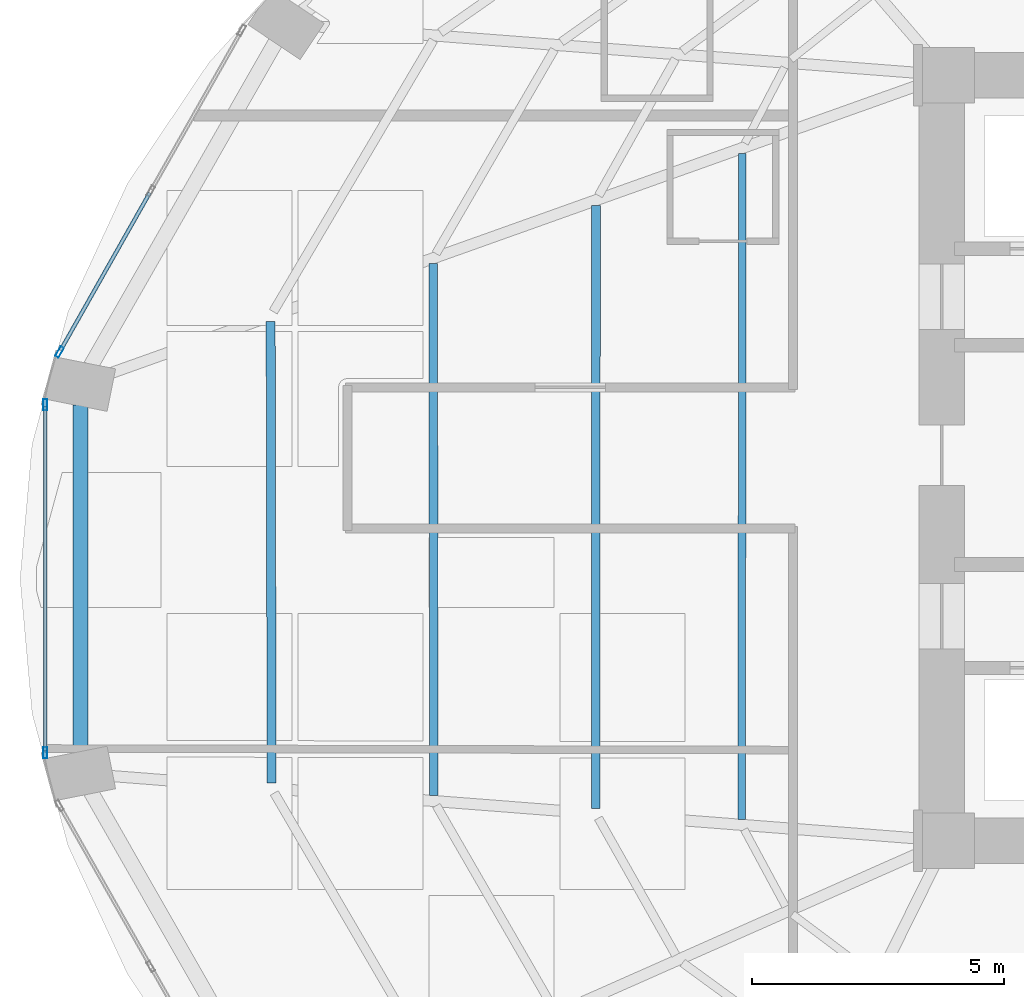
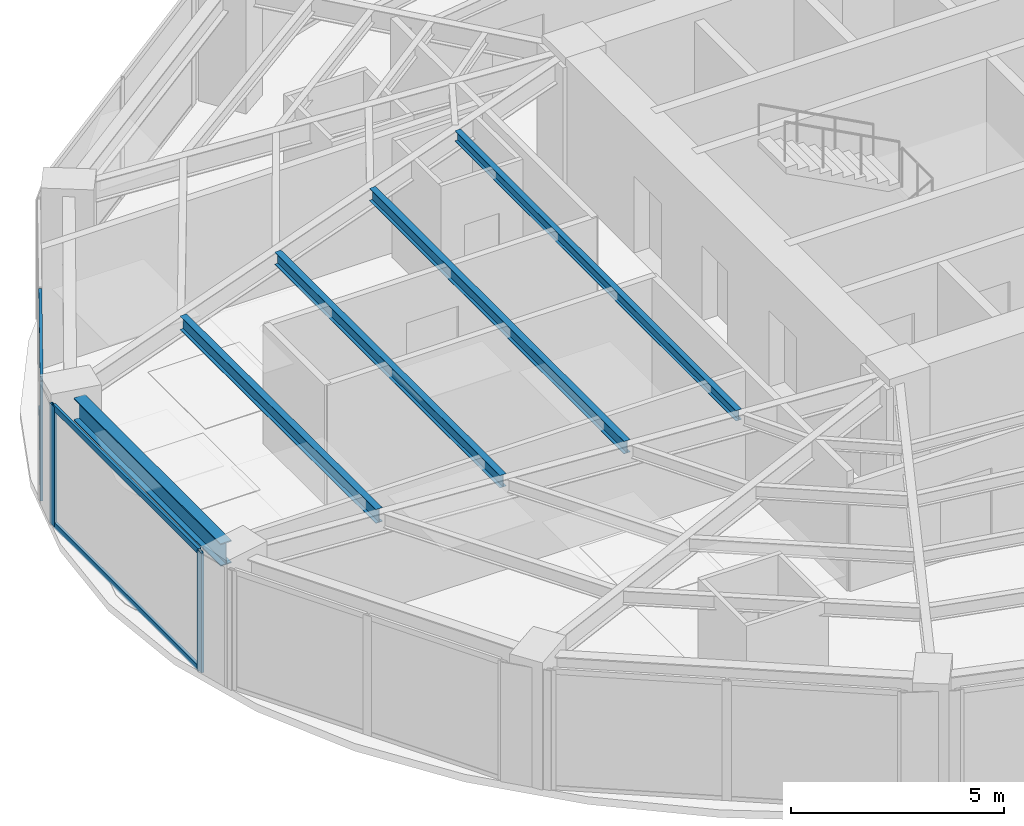
# One storey, part 7 of 25: 7 members, 5 beams, 2 elements without a shape of their own.
"""IFC4 building model written with IfcOpenShell, lengths in metres."""

from ifc_helpers import new_model, si_unit, direction, frame, origin, origin_2d, place, context, subcontext, project, spatial, hollow_rectangle, i_section, extrude, material, layer, layer_set, material_profile, profile_set, type_object, element, aggregate, save


model = new_model("IFC4")

# Units and contexts
model_context = context("Model", 3, precision=1e-05, world=origin(), true_north=direction((0.0, 1.0)))
body_context = subcontext(model_context, "Body", "Model", "MODEL_VIEW")
ifc_project = project(units=[si_unit("LENGTHUNIT", "METRE"), si_unit("AREAUNIT", "SQUARE_METRE"), si_unit("VOLUMEUNIT", "CUBIC_METRE"), si_unit("PLANEANGLEUNIT", "RADIAN"), si_unit("MASSUNIT", "GRAM", prefix="KILO")], contexts=[model_context])

# Site, building, storey
site_placement = place(None, origin())
site = spatial("IfcSite", under=ifc_project, at=site_placement, CompositionType="ELEMENT")
building_placement = place(site_placement, origin())
building = spatial("IfcBuilding", under=site, at=building_placement, Name="Lazwardi Medical Tower", CompositionType="ELEMENT")
storey_placement = place(building_placement, frame((0.0, 0.0, 28.847900390625)))
storey = spatial("IfcBuildingStorey", under=building, at=storey_placement, Name="L06", CompositionType="ELEMENT", Elevation=28.847900390625)

# Beams
ifc_material_1 = material(Name="Steel S355", Category="steel")
ifc_material_profile_1 = material_profile(ifc_material_1, i_section(OverallWidth=0.300048828125, OverallDepth=0.64990234375, WebThickness=0.01611328125, FlangeThickness=0.031005859375, at=origin_2d()), Name="HEB 650")
ifc_profile_set_1 = profile_set([ifc_material_profile_1], Name="Steel S355")
beam_type_1 = type_object("IfcBeamType", Name="BM-RB-Z1", PredefinedType="BEAM", material=ifc_profile_set_1)
beam_1_placement = place(storey_placement, frame((9.199951171875, 29.047607421875, 3.10302734375), z_axis=(0.0, -1.0, 0.0), x_axis=(1.0, 0.0, 0.0)))
element("IfcBeam", 1, at=beam_1_placement, inside=storey, type_object=beam_type_1, Name="Ring beam RB-02 B12 L06", PredefinedType="BEAM", context=body_context, shape_type="SweptSolid", body=[
    extrude(i_section(OverallWidth=0.300048828125, OverallDepth=0.64990234375, WebThickness=0.01611328125, FlangeThickness=0.031005859375, at=origin_2d()), origin(), (0.0, 0.0, 1.0), 6.895263671875),
])
ifc_material_profile_2 = material_profile(ifc_material_1, i_section(OverallWidth=0.179931640625, OverallDepth=0.39990234375, WebThickness=0.008544921875, FlangeThickness=0.013427734375, at=origin_2d()), Name="IPE 400")
ifc_profile_set_2 = profile_set([ifc_material_profile_2], Name="Steel S355")
beam_type_2 = type_object("IfcBeamType", Name="BM-SJ-01", PredefinedType="JOIST", material=ifc_profile_set_2)
beam_2_placement = place(storey_placement, frame((12.9765625, 30.708984375, 3.22802734375), z_axis=(0.002077613181, -0.999997841759, 0.0), x_axis=(0.999997841759, 0.002077613181, 0.0)))
element("IfcBeam", 2, at=beam_2_placement, inside=storey, type_object=beam_type_2, Name="Secondary joist SJ-01 R1 B12 L06", PredefinedType="JOIST", context=body_context, shape_type="SweptSolid", body=[
    extrude(i_section(OverallWidth=0.179931640625, OverallDepth=0.39990234375, WebThickness=0.008544921875, FlangeThickness=0.013427734375, at=origin_2d()), origin(), (0.0, 0.0, 1.0), 9.165771484375),
])
ifc_material_profile_3 = material_profile(ifc_material_1, i_section(OverallWidth=0.169921875, OverallDepth=0.360107421875, WebThickness=0.008056640625, FlangeThickness=0.0126953125, at=origin_2d()), Name="IPE 360")
ifc_profile_set_3 = profile_set([ifc_material_profile_3], Name="Steel S355")
beam_type_3 = type_object("IfcBeamType", Name="BM-SJ-02", PredefinedType="JOIST", material=ifc_profile_set_3)
beam_3_placement = place(storey_placement, frame((16.206298828125, 31.860595703125, 3.248046875), z_axis=(0.000670039821, -0.999999775523, 0.0), x_axis=(0.999999775523, 0.000670039821, 0.0)))
element("IfcBeam", 3, at=beam_3_placement, inside=storey, type_object=beam_type_3, Name="Secondary joist SJ-02 R2 B12 L06", PredefinedType="JOIST", context=body_context, shape_type="SweptSolid", body=[
    extrude(i_section(OverallWidth=0.169921875, OverallDepth=0.360107421875, WebThickness=0.008056640625, FlangeThickness=0.0126953125, at=origin_2d()), origin(), (0.0, 0.0, 1.0), 10.566650390625),
])
beam_4_placement = place(storey_placement, frame((19.43603515625, 33.01220703125, 3.248046875), z_axis=(-0.000387612685, -0.999999924878, 0.0), x_axis=(0.999999924878, -0.000387612685, 0.0)))
element("IfcBeam", 4, at=beam_4_placement, inside=storey, type_object=beam_type_3, Name="Secondary joist SJ-02 R3 B12 L06", PredefinedType="JOIST", context=body_context, shape_type="SweptSolid", body=[
    extrude(i_section(OverallWidth=0.169921875, OverallDepth=0.360107421875, WebThickness=0.008056640625, FlangeThickness=0.0126953125, at=origin_2d()), origin(), (0.0, 0.0, 1.0), 11.96728515625),
])
ifc_material_profile_4 = material_profile(ifc_material_1, i_section(OverallWidth=0.14990234375, OverallDepth=0.300048828125, WebThickness=0.007080078125, FlangeThickness=0.0107421875, at=origin_2d()), Name="IPE 300")
ifc_profile_set_4 = profile_set([ifc_material_profile_4], Name="Steel S355")
beam_type_4 = type_object("IfcBeamType", Name="BM-SJ-03", PredefinedType="JOIST", material=ifc_profile_set_4)
beam_5_placement = place(storey_placement, frame((22.343017578125, 34.048583984375, 3.278076171875), z_axis=(-0.001181203266, -0.999999302379, 0.0), x_axis=(0.999999302379, -0.001181203266, 0.0)))
element("IfcBeam", 5, at=beam_5_placement, inside=storey, type_object=beam_type_4, Name="Secondary joist SJ-03 R4 B12 L06", PredefinedType="JOIST", context=body_context, shape_type="SweptSolid", body=[
    extrude(i_section(OverallWidth=0.14990234375, OverallDepth=0.300048828125, WebThickness=0.007080078125, FlangeThickness=0.0107421875, at=origin_2d()), origin(), (0.0, 0.0, 1.0), 13.22802734375),
])

# Curtain wall, member
ifc_material_2 = material(Name="Anodised bronze aluminium and solar control glazing", Category="aluminium")
ifc_layer = layer(ifc_material_2, 0.199951171875)
ifc_layer_set = layer_set([ifc_layer], Name="Anodised bronze aluminium and solar control glazing")
curtain_wall_type = type_object("IfcCurtainWallType", Name="CW-SYS-02", PredefinedType="NOTDEFINED", material=ifc_layer_set)
curtain_wall_1_placement = place(storey_placement, origin())
curtain_wall_1 = element("IfcCurtainWall", 6, at=curtain_wall_1_placement, inside=storey, type_object=curtain_wall_type, Name="L06 Unitised bronze curtain wall CW-02", PredefinedType="NOTDEFINED")
ifc_material_3 = material(Name="Anodised bronze aluminium", Category="aluminium")
ifc_material_profile_5 = material_profile(ifc_material_3, hollow_rectangle(XDim=0.074951171875, YDim=0.219970703125, WallThickness=0.00390625, at=origin_2d()), Name="ALU-MULLION 220x75x4")
ifc_profile_set_5 = profile_set([ifc_material_profile_5], Name="Anodised bronze aluminium")
member_type_1 = type_object("IfcMemberType", Name="CW-MUL-01", PredefinedType="MULLION", material=ifc_profile_set_5)
member_1_placement = place(storey_placement, frame((8.785888671875, 30.102294921875, 0.0), z_axis=(0.0, 0.0, 1.0), x_axis=(0.870111838823, -0.492854327303, 0.0)))
member_1 = element("IfcMember", 7, at=member_1_placement, type_object=member_type_1, Name="CW-02 mullion 3", PredefinedType="MULLION", context=body_context, shape_type="SweptSolid", body=[
    extrude(hollow_rectangle(XDim=0.074951171875, YDim=0.219970703125, WallThickness=0.00390625, at=origin_2d()), origin(), (0.0, 0.0, 1.0), 3.427978515625),
])

# Curtain wall, members
curtain_wall_2_placement = place(storey_placement, origin())
curtain_wall_2 = element("IfcCurtainWall", 8, at=curtain_wall_2_placement, inside=storey, type_object=curtain_wall_type, Name="L06 Unitised bronze curtain wall CW-02", PredefinedType="NOTDEFINED")
member_2_placement = place(storey_placement, frame((8.50146484375, 29.053955078125, 0.0), z_axis=(0.0, 0.0, 1.0), x_axis=(1.0, 0.0, 0.0)))
member_2 = element("IfcMember", 9, at=member_2_placement, type_object=member_type_1, Name="CW-02 mullion 1", PredefinedType="MULLION", context=body_context, shape_type="SweptSolid", body=[
    extrude(hollow_rectangle(XDim=0.074951171875, YDim=0.219970703125, WallThickness=0.00390625, at=origin_2d()), origin(), (0.0, 0.0, 1.0), 3.427978515625),
])
member_3_placement = place(storey_placement, frame((8.50146484375, 22.14599609375, 0.0), z_axis=(0.0, 0.0, 1.0), x_axis=(1.0, 0.0, 0.0)))
member_3 = element("IfcMember", 10, at=member_3_placement, type_object=member_type_1, Name="CW-02 mullion 2", PredefinedType="MULLION", context=body_context, shape_type="SweptSolid", body=[
    extrude(hollow_rectangle(XDim=0.074951171875, YDim=0.219970703125, WallThickness=0.00390625, at=origin_2d()), origin(), (0.0, 0.0, 1.0), 3.427978515625),
])

# Member
ifc_material_profile_6 = material_profile(ifc_material_3, hollow_rectangle(XDim=0.074951171875, YDim=0.159912109375, WallThickness=0.00390625, at=origin_2d()), Name="ALU-TRANSOM 160x75x4")
ifc_profile_set_6 = profile_set([ifc_material_profile_6], Name="Anodised bronze aluminium")
member_type_2 = type_object("IfcMemberType", Name="CW-TRN-01", PredefinedType="USERDEFINED", material=ifc_profile_set_6)
member_4_placement = place(storey_placement, frame((10.576171875, 33.262939453125, 0.03759765625), z_axis=(-0.49285148925, -0.870113446365, 0.0), x_axis=(0.870113446365, -0.49285148925, 0.0)))
member_4 = element("IfcMember", 11, at=member_4_placement, type_object=member_type_2, Name="CW-02 transom 2.1", ObjectType="TRANSOM", PredefinedType="USERDEFINED", context=body_context, shape_type="SweptSolid", body=[
    extrude(hollow_rectangle(XDim=0.074951171875, YDim=0.159912109375, WallThickness=0.00390625, at=origin_2d()), origin(), (0.0, 0.0, 1.0), 3.594970703125),
])

member_5_placement = place(storey_placement, frame((10.576171875, 33.262939453125, 3.390625), z_axis=(-0.49285148925, -0.870113446365, 0.0), x_axis=(0.870113446365, -0.49285148925, 0.0)))
member_5 = element("IfcMember", 12, at=member_5_placement, type_object=member_type_2, Name="CW-02 transom 2.2", ObjectType="TRANSOM", PredefinedType="USERDEFINED", context=body_context, shape_type="SweptSolid", body=[
    extrude(hollow_rectangle(XDim=0.074951171875, YDim=0.159912109375, WallThickness=0.00390625, at=origin_2d()), origin(), (0.0, 0.0, 1.0), 3.594970703125),
])

aggregate(curtain_wall_1, [member_1, member_4, member_5])

member_6_placement = place(storey_placement, frame((8.50146484375, 29.0166015625, 0.03759765625), z_axis=(0.0, -1.0, 0.0), x_axis=(1.0, 0.0, 0.0)))
member_6 = element("IfcMember", 13, at=member_6_placement, type_object=member_type_2, Name="CW-02 transom 1.1", ObjectType="TRANSOM", PredefinedType="USERDEFINED", context=body_context, shape_type="SweptSolid", body=[
    extrude(hollow_rectangle(XDim=0.074951171875, YDim=0.159912109375, WallThickness=0.00390625, at=origin_2d()), origin(), (0.0, 0.0, 1.0), 6.8330078125),
])

member_7_placement = place(storey_placement, frame((8.50146484375, 29.0166015625, 3.390625), z_axis=(0.0, -1.0, 0.0), x_axis=(1.0, 0.0, 0.0)))
member_7 = element("IfcMember", 14, at=member_7_placement, type_object=member_type_2, Name="CW-02 transom 1.2", ObjectType="TRANSOM", PredefinedType="USERDEFINED", context=body_context, shape_type="SweptSolid", body=[
    extrude(hollow_rectangle(XDim=0.074951171875, YDim=0.159912109375, WallThickness=0.00390625, at=origin_2d()), origin(), (0.0, 0.0, 1.0), 6.8330078125),
])

aggregate(curtain_wall_2, [member_2, member_3, member_6, member_7])

save(model, "model.ifc")
